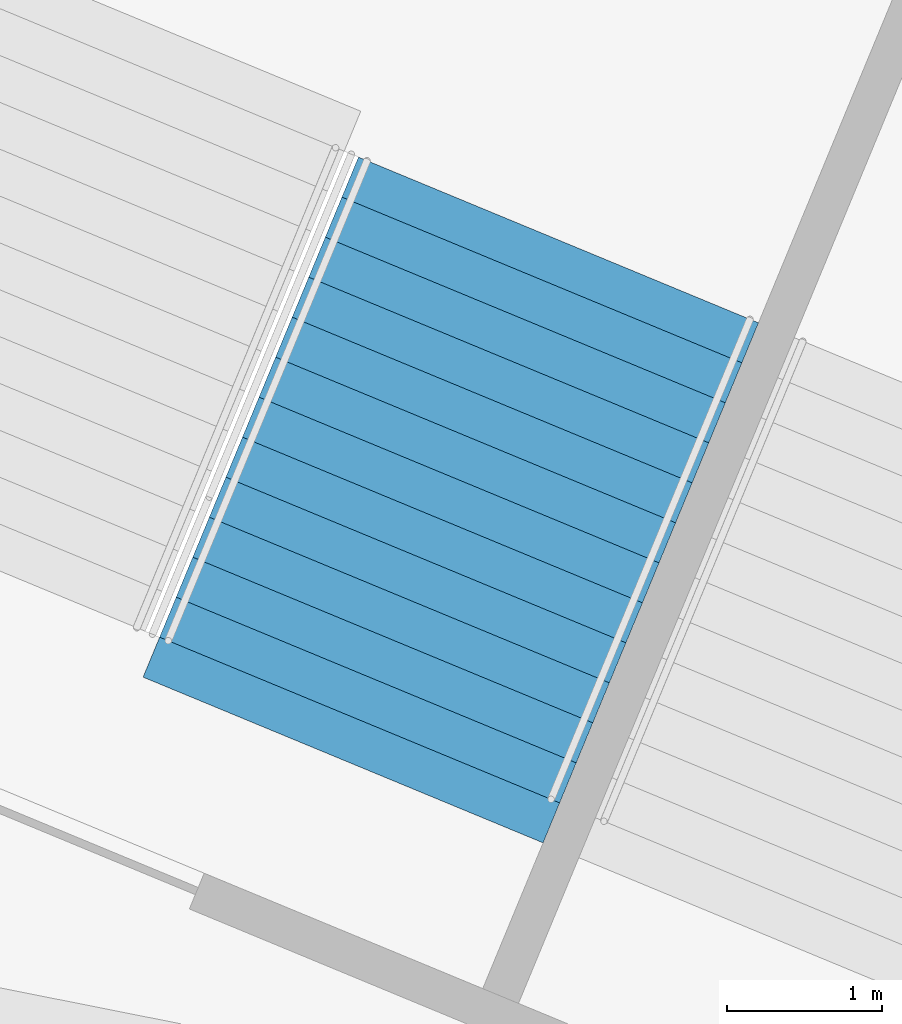
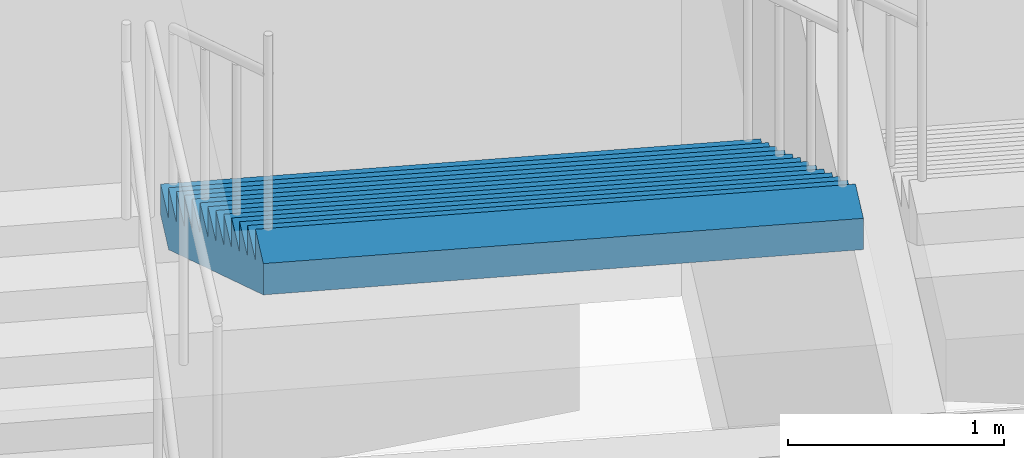
# One storey, part 230 of 249: 1 stair flight, 1 element without a shape of its own.
"""IFC4 building model written with IfcOpenShell, lengths in metres."""

from ifc_helpers import new_model, si_unit, direction, frame, origin, place, context, subcontext, project, spatial, faceted_brep, material, type_object, element, aggregate, save


model = new_model("IFC4")

# Units and contexts
model_context = context("Model", 3, precision=1e-05, world=origin(), true_north=direction((0.0, 1.0)))
body_context = subcontext(model_context, "Body", "Model", "MODEL_VIEW")
ifc_project = project(units=[si_unit("LENGTHUNIT", "METRE"), si_unit("AREAUNIT", "SQUARE_METRE"), si_unit("VOLUMEUNIT", "CUBIC_METRE"), si_unit("PLANEANGLEUNIT", "RADIAN"), si_unit("MASSUNIT", "GRAM", prefix="KILO")], contexts=[model_context])

# Site, building, storey
site_placement = place(None, origin())
site = spatial("IfcSite", under=ifc_project, at=site_placement, CompositionType="ELEMENT")
building_placement = place(site_placement, origin())
building = spatial("IfcBuilding", under=site, at=building_placement, Name="Ogive Plaza Stadium", CompositionType="ELEMENT")
storey_placement = place(building_placement, frame((0.0, 0.0, 13.5)))
storey = spatial("IfcBuildingStorey", under=building, at=storey_placement, Name="L03", CompositionType="ELEMENT", Elevation=13.5)

# Stair, stair flight
ifc_material_1 = material(Name="Concrete C40/50", Category="concrete")
stair_type = type_object("IfcStairType", Name="Exit stair", PredefinedType="STRAIGHT_RUN_STAIR", material=ifc_material_1)
stair_placement = place(storey_placement, origin())
stair = element("IfcStair", 1, at=stair_placement, inside=storey, type_object=stair_type, Name="Exit stair ST38B L03 to L04", PredefinedType="STRAIGHT_RUN_STAIR")
ifc_material_2 = material(Name="Concrete C40/50", Category="concrete")
stair_flight_type = type_object("IfcStairFlightType", Name="Exit stair flight", PredefinedType="STRAIGHT", material=ifc_material_2)
stair_flight_placement = place(storey_placement, frame((50.08349609375, 95.314208984375, 2.25), z_axis=(0.0, 0.0, 1.0), x_axis=(-0.382683432365, -0.923879532511, 0.0)))
stair_flight = element("IfcStairFlight", 2, at=stair_flight_placement, type_object=stair_flight_type, Name="ST38B flight 2", NumberOfRisers=13, NumberOfTreads=12, PredefinedType="STRAIGHT", RiserHeight=0.173076923, TreadLength=0.28, context=body_context, shape_type="Brep", body=[
    faceted_brep([(0.28515625, -1.39990234375, 0.0), (3.639892578125, -1.39990234375, 2.07373046875), (3.639892578125, -1.39990234375, 2.25), (3.360107421875, -1.39990234375, 2.25), (3.360107421875, -1.39990234375, 2.076904296875), (3.080078125, -1.39990234375, 2.076904296875), (3.080078125, -1.39990234375, 1.90380859375), (2.800048828125, -1.39990234375, 1.90380859375), (2.800048828125, -1.39990234375, 1.730712890625), (2.52001953125, -1.39990234375, 1.730712890625), (2.52001953125, -1.39990234375, 1.5576171875), (2.239990234375, -1.39990234375, 1.5576171875), (2.239990234375, -1.39990234375, 1.384521484375), (1.9599609375, -1.39990234375, 1.384521484375), (1.9599609375, -1.39990234375, 1.21142578125), (1.679931640625, -1.39990234375, 1.21142578125), (1.679931640625, -1.39990234375, 1.03857421875), (1.39990234375, -1.39990234375, 1.03857421875), (1.39990234375, -1.39990234375, 0.865478515625), (1.1201171875, -1.39990234375, 0.865478515625), (1.1201171875, -1.39990234375, 0.6923828125), (0.840087890625, -1.39990234375, 0.6923828125), (0.840087890625, -1.39990234375, 0.519287109375), (0.56005859375, -1.39990234375, 0.519287109375), (0.56005859375, -1.39990234375, 0.34619140625), (0.280029296875, -1.39990234375, 0.34619140625), (0.280029296875, -1.39990234375, 0.173095703125), (0.0, -1.39990234375, 0.173095703125), (0.0, -1.39990234375, 0.0), (0.0, 1.39990234375, 0.0), (0.0, 1.39990234375, 0.173095703125), (0.280029296875, 1.39990234375, 0.173095703125), (0.280029296875, 1.39990234375, 0.34619140625), (0.56005859375, 1.39990234375, 0.34619140625), (0.56005859375, 1.39990234375, 0.519287109375), (0.840087890625, 1.39990234375, 0.519287109375), (0.840087890625, 1.39990234375, 0.6923828125), (1.1201171875, 1.39990234375, 0.6923828125), (1.1201171875, 1.39990234375, 0.865478515625), (1.39990234375, 1.39990234375, 0.865478515625), (1.39990234375, 1.39990234375, 1.03857421875), (1.679931640625, 1.39990234375, 1.03857421875), (1.679931640625, 1.39990234375, 1.21142578125), (1.9599609375, 1.39990234375, 1.21142578125), (1.9599609375, 1.39990234375, 1.384521484375), (2.239990234375, 1.39990234375, 1.384521484375), (2.239990234375, 1.39990234375, 1.5576171875), (2.52001953125, 1.39990234375, 1.5576171875), (2.52001953125, 1.39990234375, 1.730712890625), (2.800048828125, 1.39990234375, 1.730712890625), (2.800048828125, 1.39990234375, 1.90380859375), (3.080078125, 1.39990234375, 1.90380859375), (3.080078125, 1.39990234375, 2.076904296875), (3.360107421875, 1.39990234375, 2.076904296875), (3.360107421875, 1.39990234375, 2.25), (3.639892578125, 1.39990234375, 2.25), (3.639892578125, 1.39990234375, 2.07373046875), (0.28515625, 1.39990234375, 0.0), (0.28515625, -1.0888671875, 0.0), (3.639892578125, -1.0888671875, 2.07373046875), (0.28515625, -0.77783203125, 0.0), (3.639892578125, -0.77783203125, 2.07373046875), (0.28515625, -0.466796875, 0.0), (3.639892578125, -0.466796875, 2.07373046875), (0.28515625, -0.155517578125, 0.0), (3.639892578125, -0.155517578125, 2.07373046875), (0.28515625, 0.155517578125, 0.0), (3.639892578125, 0.155517578125, 2.07373046875), (0.28515625, 0.466796875, 0.0), (3.639892578125, 0.466796875, 2.07373046875), (0.28515625, 0.77783203125, 0.0), (3.639892578125, 0.77783203125, 2.07373046875), (0.28515625, 1.0888671875, 0.0), (3.639892578125, 1.0888671875, 2.07373046875), (3.639892578125, -1.0888671875, 2.25), (3.639892578125, -0.77783203125, 2.25), (3.639892578125, -0.466796875, 2.25), (3.639892578125, -0.155517578125, 2.25), (3.639892578125, 0.155517578125, 2.25), (3.639892578125, 0.466796875, 2.25), (3.639892578125, 0.77783203125, 2.25), (3.639892578125, 1.0888671875, 2.25), (3.360107421875, -1.0888671875, 2.25), (3.360107421875, -0.77783203125, 2.25), (3.360107421875, -0.466796875, 2.25), (3.360107421875, -0.155517578125, 2.25), (3.360107421875, 0.155517578125, 2.25), (3.360107421875, 0.466796875, 2.25), (3.360107421875, 0.77783203125, 2.25), (3.360107421875, 1.0888671875, 2.25), (3.360107421875, -1.0888671875, 2.076904296875), (3.360107421875, -0.77783203125, 2.076904296875), (3.360107421875, -0.466796875, 2.076904296875), (3.360107421875, -0.155517578125, 2.076904296875), (3.360107421875, 0.155517578125, 2.076904296875), (3.360107421875, 0.466796875, 2.076904296875), (3.360107421875, 0.77783203125, 2.076904296875), (3.360107421875, 1.0888671875, 2.076904296875), (3.080078125, -1.0888671875, 2.076904296875), (3.080078125, -0.77783203125, 2.076904296875), (3.080078125, -0.466796875, 2.076904296875), (3.080078125, -0.155517578125, 2.076904296875), (3.080078125, 0.155517578125, 2.076904296875), (3.080078125, 0.466796875, 2.076904296875), (3.080078125, 0.77783203125, 2.076904296875), (3.080078125, 1.0888671875, 2.076904296875), (3.080078125, -1.0888671875, 1.90380859375), (3.080078125, -0.77783203125, 1.90380859375), (3.080078125, -0.466796875, 1.90380859375), (3.080078125, -0.155517578125, 1.90380859375), (3.080078125, 0.155517578125, 1.90380859375), (3.080078125, 0.466796875, 1.90380859375), (3.080078125, 0.77783203125, 1.90380859375), (3.080078125, 1.0888671875, 1.90380859375), (2.800048828125, -1.0888671875, 1.90380859375), (2.800048828125, -0.77783203125, 1.90380859375), (2.800048828125, -0.466796875, 1.90380859375), (2.800048828125, -0.155517578125, 1.90380859375), (2.800048828125, 0.155517578125, 1.90380859375), (2.800048828125, 0.466796875, 1.90380859375), (2.800048828125, 0.77783203125, 1.90380859375), (2.800048828125, 1.0888671875, 1.90380859375), (2.800048828125, -1.0888671875, 1.730712890625), (2.800048828125, -0.77783203125, 1.730712890625), (2.800048828125, -0.466796875, 1.730712890625), (2.800048828125, -0.155517578125, 1.730712890625), (2.800048828125, 0.155517578125, 1.730712890625), (2.800048828125, 0.466796875, 1.730712890625), (2.800048828125, 0.77783203125, 1.730712890625), (2.800048828125, 1.0888671875, 1.730712890625), (2.52001953125, -1.0888671875, 1.730712890625), (2.52001953125, -0.77783203125, 1.730712890625), (2.52001953125, -0.466796875, 1.730712890625), (2.52001953125, -0.155517578125, 1.730712890625), (2.52001953125, 0.155517578125, 1.730712890625), (2.52001953125, 0.466796875, 1.730712890625), (2.52001953125, 0.77783203125, 1.730712890625), (2.52001953125, 1.0888671875, 1.730712890625), (2.52001953125, -1.0888671875, 1.5576171875), (2.52001953125, -0.77783203125, 1.5576171875), (2.52001953125, -0.466796875, 1.5576171875), (2.52001953125, -0.155517578125, 1.5576171875), (2.52001953125, 0.155517578125, 1.5576171875), (2.52001953125, 0.466796875, 1.5576171875), (2.52001953125, 0.77783203125, 1.5576171875), (2.52001953125, 1.0888671875, 1.5576171875), (2.239990234375, -1.0888671875, 1.5576171875), (2.239990234375, -0.77783203125, 1.5576171875), (2.239990234375, -0.466796875, 1.5576171875), (2.239990234375, -0.155517578125, 1.5576171875), (2.239990234375, 0.155517578125, 1.5576171875), (2.239990234375, 0.466796875, 1.5576171875), (2.239990234375, 0.77783203125, 1.5576171875), (2.239990234375, 1.0888671875, 1.5576171875), (2.239990234375, -1.0888671875, 1.384521484375), (2.239990234375, -0.77783203125, 1.384521484375), (2.239990234375, -0.466796875, 1.384521484375), (2.239990234375, -0.155517578125, 1.384521484375), (2.239990234375, 0.155517578125, 1.384521484375), (2.239990234375, 0.466796875, 1.384521484375), (2.239990234375, 0.77783203125, 1.384521484375), (2.239990234375, 1.0888671875, 1.384521484375), (1.9599609375, -1.0888671875, 1.384521484375), (1.9599609375, -0.77783203125, 1.384521484375), (1.9599609375, -0.466796875, 1.384521484375), (1.9599609375, -0.155517578125, 1.384521484375), (1.9599609375, 0.155517578125, 1.384521484375), (1.9599609375, 0.466796875, 1.384521484375), (1.9599609375, 0.77783203125, 1.384521484375), (1.9599609375, 1.0888671875, 1.384521484375), (1.9599609375, -1.0888671875, 1.21142578125), (1.9599609375, -0.77783203125, 1.21142578125), (1.9599609375, -0.466796875, 1.21142578125), (1.9599609375, -0.155517578125, 1.21142578125), (1.9599609375, 0.155517578125, 1.21142578125), (1.9599609375, 0.466796875, 1.21142578125), (1.9599609375, 0.77783203125, 1.21142578125), (1.9599609375, 1.0888671875, 1.21142578125), (1.679931640625, -1.0888671875, 1.21142578125), (1.679931640625, -0.77783203125, 1.21142578125), (1.679931640625, -0.466796875, 1.21142578125), (1.679931640625, -0.155517578125, 1.21142578125), (1.679931640625, 0.155517578125, 1.21142578125), (1.679931640625, 0.466796875, 1.21142578125), (1.679931640625, 0.77783203125, 1.21142578125), (1.679931640625, 1.0888671875, 1.21142578125), (1.679931640625, -1.0888671875, 1.03857421875), (1.679931640625, -0.77783203125, 1.03857421875), (1.679931640625, -0.466796875, 1.03857421875), (1.679931640625, -0.155517578125, 1.03857421875), (1.679931640625, 0.155517578125, 1.03857421875), (1.679931640625, 0.466796875, 1.03857421875), (1.679931640625, 0.77783203125, 1.03857421875), (1.679931640625, 1.0888671875, 1.03857421875), (1.39990234375, -1.0888671875, 1.03857421875), (1.39990234375, -0.77783203125, 1.03857421875), (1.39990234375, -0.466796875, 1.03857421875), (1.39990234375, -0.155517578125, 1.03857421875), (1.39990234375, 0.155517578125, 1.03857421875), (1.39990234375, 0.466796875, 1.03857421875), (1.39990234375, 0.77783203125, 1.03857421875), (1.39990234375, 1.0888671875, 1.03857421875), (1.39990234375, -1.0888671875, 0.865478515625), (1.39990234375, -0.77783203125, 0.865478515625), (1.39990234375, -0.466796875, 0.865478515625), (1.39990234375, -0.155517578125, 0.865478515625), (1.39990234375, 0.155517578125, 0.865478515625), (1.39990234375, 0.466796875, 0.865478515625), (1.39990234375, 0.77783203125, 0.865478515625), (1.39990234375, 1.0888671875, 0.865478515625), (1.1201171875, -1.0888671875, 0.865478515625), (1.1201171875, -0.77783203125, 0.865478515625), (1.1201171875, -0.466796875, 0.865478515625), (1.1201171875, -0.155517578125, 0.865478515625), (1.1201171875, 0.155517578125, 0.865478515625), (1.1201171875, 0.466796875, 0.865478515625), (1.1201171875, 0.77783203125, 0.865478515625), (1.1201171875, 1.0888671875, 0.865478515625), (1.1201171875, -1.0888671875, 0.6923828125), (1.1201171875, -0.77783203125, 0.6923828125), (1.1201171875, -0.466796875, 0.6923828125), (1.1201171875, -0.155517578125, 0.6923828125), (1.1201171875, 0.155517578125, 0.6923828125), (1.1201171875, 0.466796875, 0.6923828125), (1.1201171875, 0.77783203125, 0.6923828125), (1.1201171875, 1.0888671875, 0.6923828125), (0.840087890625, -1.0888671875, 0.6923828125), (0.840087890625, -0.77783203125, 0.6923828125), (0.840087890625, -0.466796875, 0.6923828125), (0.840087890625, -0.155517578125, 0.6923828125), (0.840087890625, 0.155517578125, 0.6923828125), (0.840087890625, 0.466796875, 0.6923828125), (0.840087890625, 0.77783203125, 0.6923828125), (0.840087890625, 1.0888671875, 0.6923828125), (0.840087890625, -1.0888671875, 0.519287109375), (0.840087890625, -0.77783203125, 0.519287109375), (0.840087890625, -0.466796875, 0.519287109375), (0.840087890625, -0.155517578125, 0.519287109375), (0.840087890625, 0.155517578125, 0.519287109375), (0.840087890625, 0.466796875, 0.519287109375), (0.840087890625, 0.77783203125, 0.519287109375), (0.840087890625, 1.0888671875, 0.519287109375), (0.56005859375, -1.0888671875, 0.519287109375), (0.56005859375, -0.77783203125, 0.519287109375), (0.56005859375, -0.466796875, 0.519287109375), (0.56005859375, -0.155517578125, 0.519287109375), (0.56005859375, 0.155517578125, 0.519287109375), (0.56005859375, 0.466796875, 0.519287109375), (0.56005859375, 0.77783203125, 0.519287109375), (0.56005859375, 1.0888671875, 0.519287109375), (0.56005859375, -1.0888671875, 0.34619140625), (0.56005859375, -0.77783203125, 0.34619140625), (0.56005859375, -0.466796875, 0.34619140625), (0.56005859375, -0.155517578125, 0.34619140625), (0.56005859375, 0.155517578125, 0.34619140625), (0.56005859375, 0.466796875, 0.34619140625), (0.56005859375, 0.77783203125, 0.34619140625), (0.56005859375, 1.0888671875, 0.34619140625), (0.280029296875, -1.0888671875, 0.34619140625), (0.280029296875, -0.77783203125, 0.34619140625), (0.280029296875, -0.466796875, 0.34619140625), (0.280029296875, -0.155517578125, 0.34619140625), (0.280029296875, 0.155517578125, 0.34619140625), (0.280029296875, 0.466796875, 0.34619140625), (0.280029296875, 0.77783203125, 0.34619140625), (0.280029296875, 1.0888671875, 0.34619140625), (0.280029296875, -1.0888671875, 0.173095703125), (0.280029296875, -0.77783203125, 0.173095703125), (0.280029296875, -0.466796875, 0.173095703125), (0.280029296875, -0.155517578125, 0.173095703125), (0.280029296875, 0.155517578125, 0.173095703125), (0.280029296875, 0.466796875, 0.173095703125), (0.280029296875, 0.77783203125, 0.173095703125), (0.280029296875, 1.0888671875, 0.173095703125), (0.0, -1.0888671875, 0.173095703125), (0.0, -0.77783203125, 0.173095703125), (0.0, -0.466796875, 0.173095703125), (0.0, -0.155517578125, 0.173095703125), (0.0, 0.155517578125, 0.173095703125), (0.0, 0.466796875, 0.173095703125), (0.0, 0.77783203125, 0.173095703125), (0.0, 1.0888671875, 0.173095703125), (0.0, -1.0888671875, 0.0), (0.0, -0.77783203125, 0.0), (0.0, -0.466796875, 0.0), (0.0, -0.155517578125, 0.0), (0.0, 0.155517578125, 0.0), (0.0, 0.466796875, 0.0), (0.0, 0.77783203125, 0.0), (0.0, 1.0888671875, 0.0)], [[[0, 1, 2, 3, 4, 5, 6, 7, 8, 9, 10, 11, 12, 13, 14, 15, 16, 17, 18, 19, 20, 21, 22, 23, 24, 25, 26, 27, 28]], [[29, 30, 31, 32, 33, 34, 35, 36, 37, 38, 39, 40, 41, 42, 43, 44, 45, 46, 47, 48, 49, 50, 51, 52, 53, 54, 55, 56, 57]], [[0, 58, 59, 1]], [[58, 60, 61, 59]], [[60, 62, 63, 61]], [[62, 64, 65, 63]], [[64, 66, 67, 65]], [[66, 68, 69, 67]], [[68, 70, 71, 69]], [[70, 72, 73, 71]], [[72, 57, 56, 73]], [[1, 59, 74, 2]], [[59, 61, 75, 74]], [[61, 63, 76, 75]], [[63, 65, 77, 76]], [[65, 67, 78, 77]], [[67, 69, 79, 78]], [[69, 71, 80, 79]], [[71, 73, 81, 80]], [[73, 56, 55, 81]], [[2, 74, 82, 3]], [[74, 75, 83, 82]], [[75, 76, 84, 83]], [[76, 77, 85, 84]], [[77, 78, 86, 85]], [[78, 79, 87, 86]], [[79, 80, 88, 87]], [[80, 81, 89, 88]], [[81, 55, 54, 89]], [[3, 82, 90, 4]], [[82, 83, 91, 90]], [[83, 84, 92, 91]], [[84, 85, 93, 92]], [[85, 86, 94, 93]], [[86, 87, 95, 94]], [[87, 88, 96, 95]], [[88, 89, 97, 96]], [[89, 54, 53, 97]], [[4, 90, 98, 5]], [[90, 91, 99, 98]], [[91, 92, 100, 99]], [[92, 93, 101, 100]], [[93, 94, 102, 101]], [[94, 95, 103, 102]], [[95, 96, 104, 103]], [[96, 97, 105, 104]], [[97, 53, 52, 105]], [[5, 98, 106, 6]], [[98, 99, 107, 106]], [[99, 100, 108, 107]], [[100, 101, 109, 108]], [[101, 102, 110, 109]], [[102, 103, 111, 110]], [[103, 104, 112, 111]], [[104, 105, 113, 112]], [[105, 52, 51, 113]], [[6, 106, 114, 7]], [[106, 107, 115, 114]], [[107, 108, 116, 115]], [[108, 109, 117, 116]], [[109, 110, 118, 117]], [[110, 111, 119, 118]], [[111, 112, 120, 119]], [[112, 113, 121, 120]], [[113, 51, 50, 121]], [[7, 114, 122, 8]], [[114, 115, 123, 122]], [[115, 116, 124, 123]], [[116, 117, 125, 124]], [[117, 118, 126, 125]], [[118, 119, 127, 126]], [[119, 120, 128, 127]], [[120, 121, 129, 128]], [[121, 50, 49, 129]], [[8, 122, 130, 9]], [[122, 123, 131, 130]], [[123, 124, 132, 131]], [[124, 125, 133, 132]], [[125, 126, 134, 133]], [[126, 127, 135, 134]], [[127, 128, 136, 135]], [[128, 129, 137, 136]], [[129, 49, 48, 137]], [[9, 130, 138, 10]], [[130, 131, 139, 138]], [[131, 132, 140, 139]], [[132, 133, 141, 140]], [[133, 134, 142, 141]], [[134, 135, 143, 142]], [[135, 136, 144, 143]], [[136, 137, 145, 144]], [[137, 48, 47, 145]], [[10, 138, 146, 11]], [[138, 139, 147, 146]], [[139, 140, 148, 147]], [[140, 141, 149, 148]], [[141, 142, 150, 149]], [[142, 143, 151, 150]], [[143, 144, 152, 151]], [[144, 145, 153, 152]], [[145, 47, 46, 153]], [[11, 146, 154, 12]], [[146, 147, 155, 154]], [[147, 148, 156, 155]], [[148, 149, 157, 156]], [[149, 150, 158, 157]], [[150, 151, 159, 158]], [[151, 152, 160, 159]], [[152, 153, 161, 160]], [[153, 46, 45, 161]], [[12, 154, 162, 13]], [[154, 155, 163, 162]], [[155, 156, 164, 163]], [[156, 157, 165, 164]], [[157, 158, 166, 165]], [[158, 159, 167, 166]], [[159, 160, 168, 167]], [[160, 161, 169, 168]], [[161, 45, 44, 169]], [[13, 162, 170, 14]], [[162, 163, 171, 170]], [[163, 164, 172, 171]], [[164, 165, 173, 172]], [[165, 166, 174, 173]], [[166, 167, 175, 174]], [[167, 168, 176, 175]], [[168, 169, 177, 176]], [[169, 44, 43, 177]], [[14, 170, 178, 15]], [[170, 171, 179, 178]], [[171, 172, 180, 179]], [[172, 173, 181, 180]], [[173, 174, 182, 181]], [[174, 175, 183, 182]], [[175, 176, 184, 183]], [[176, 177, 185, 184]], [[177, 43, 42, 185]], [[15, 178, 186, 16]], [[178, 179, 187, 186]], [[179, 180, 188, 187]], [[180, 181, 189, 188]], [[181, 182, 190, 189]], [[182, 183, 191, 190]], [[183, 184, 192, 191]], [[184, 185, 193, 192]], [[185, 42, 41, 193]], [[16, 186, 194, 17]], [[186, 187, 195, 194]], [[187, 188, 196, 195]], [[188, 189, 197, 196]], [[189, 190, 198, 197]], [[190, 191, 199, 198]], [[191, 192, 200, 199]], [[192, 193, 201, 200]], [[193, 41, 40, 201]], [[17, 194, 202, 18]], [[194, 195, 203, 202]], [[195, 196, 204, 203]], [[196, 197, 205, 204]], [[197, 198, 206, 205]], [[198, 199, 207, 206]], [[199, 200, 208, 207]], [[200, 201, 209, 208]], [[201, 40, 39, 209]], [[18, 202, 210, 19]], [[202, 203, 211, 210]], [[203, 204, 212, 211]], [[204, 205, 213, 212]], [[205, 206, 214, 213]], [[206, 207, 215, 214]], [[207, 208, 216, 215]], [[208, 209, 217, 216]], [[209, 39, 38, 217]], [[19, 210, 218, 20]], [[210, 211, 219, 218]], [[211, 212, 220, 219]], [[212, 213, 221, 220]], [[213, 214, 222, 221]], [[214, 215, 223, 222]], [[215, 216, 224, 223]], [[216, 217, 225, 224]], [[217, 38, 37, 225]], [[20, 218, 226, 21]], [[218, 219, 227, 226]], [[219, 220, 228, 227]], [[220, 221, 229, 228]], [[221, 222, 230, 229]], [[222, 223, 231, 230]], [[223, 224, 232, 231]], [[224, 225, 233, 232]], [[225, 37, 36, 233]], [[21, 226, 234, 22]], [[226, 227, 235, 234]], [[227, 228, 236, 235]], [[228, 229, 237, 236]], [[229, 230, 238, 237]], [[230, 231, 239, 238]], [[231, 232, 240, 239]], [[232, 233, 241, 240]], [[233, 36, 35, 241]], [[22, 234, 242, 23]], [[234, 235, 243, 242]], [[235, 236, 244, 243]], [[236, 237, 245, 244]], [[237, 238, 246, 245]], [[238, 239, 247, 246]], [[239, 240, 248, 247]], [[240, 241, 249, 248]], [[241, 35, 34, 249]], [[23, 242, 250, 24]], [[242, 243, 251, 250]], [[243, 244, 252, 251]], [[244, 245, 253, 252]], [[245, 246, 254, 253]], [[246, 247, 255, 254]], [[247, 248, 256, 255]], [[248, 249, 257, 256]], [[249, 34, 33, 257]], [[24, 250, 258, 25]], [[250, 251, 259, 258]], [[251, 252, 260, 259]], [[252, 253, 261, 260]], [[253, 254, 262, 261]], [[254, 255, 263, 262]], [[255, 256, 264, 263]], [[256, 257, 265, 264]], [[257, 33, 32, 265]], [[25, 258, 266, 26]], [[258, 259, 267, 266]], [[259, 260, 268, 267]], [[260, 261, 269, 268]], [[261, 262, 270, 269]], [[262, 263, 271, 270]], [[263, 264, 272, 271]], [[264, 265, 273, 272]], [[265, 32, 31, 273]], [[26, 266, 274, 27]], [[266, 267, 275, 274]], [[267, 268, 276, 275]], [[268, 269, 277, 276]], [[269, 270, 278, 277]], [[270, 271, 279, 278]], [[271, 272, 280, 279]], [[272, 273, 281, 280]], [[273, 31, 30, 281]], [[27, 274, 282, 28]], [[274, 275, 283, 282]], [[275, 276, 284, 283]], [[276, 277, 285, 284]], [[277, 278, 286, 285]], [[278, 279, 287, 286]], [[279, 280, 288, 287]], [[280, 281, 289, 288]], [[281, 30, 29, 289]], [[28, 282, 58, 0]], [[282, 283, 60, 58]], [[283, 284, 62, 60]], [[284, 285, 64, 62]], [[285, 286, 66, 64]], [[286, 287, 68, 66]], [[287, 288, 70, 68]], [[288, 289, 72, 70]], [[289, 29, 57, 72]]]),
])
aggregate(stair, [stair_flight])

save(model, "model.ifc")
